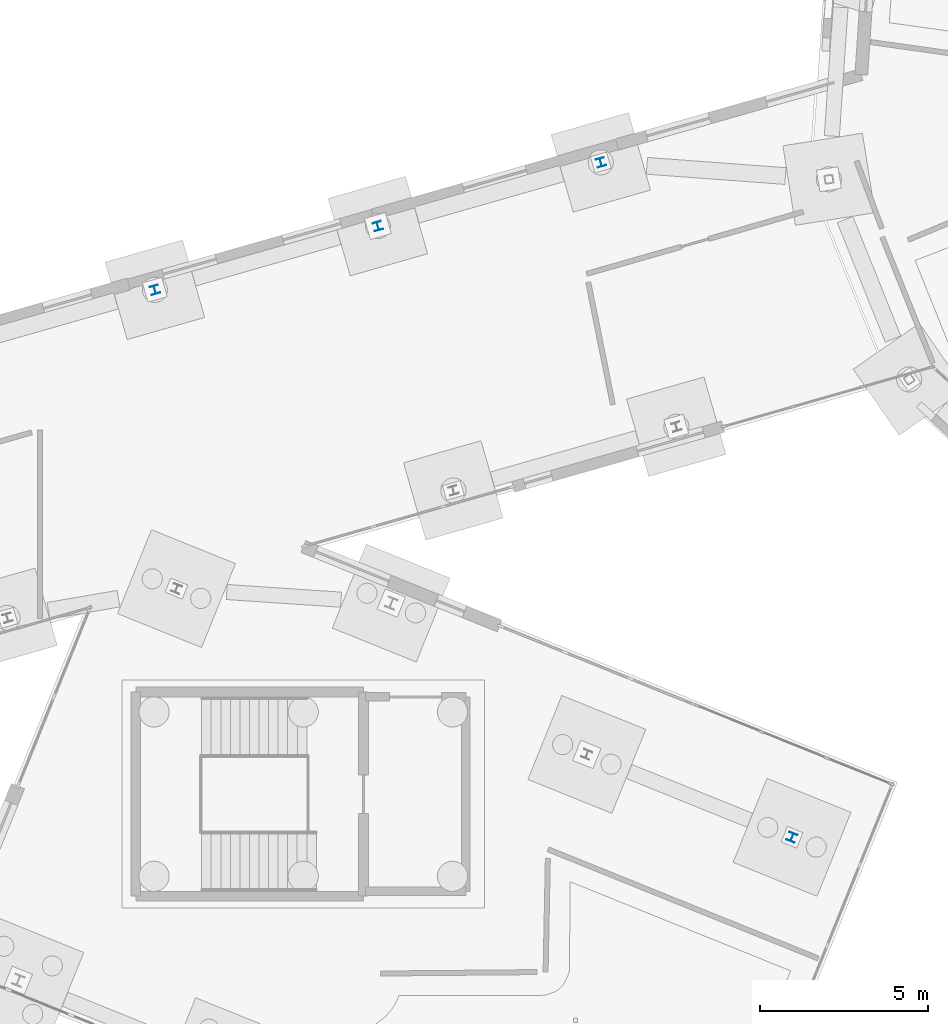
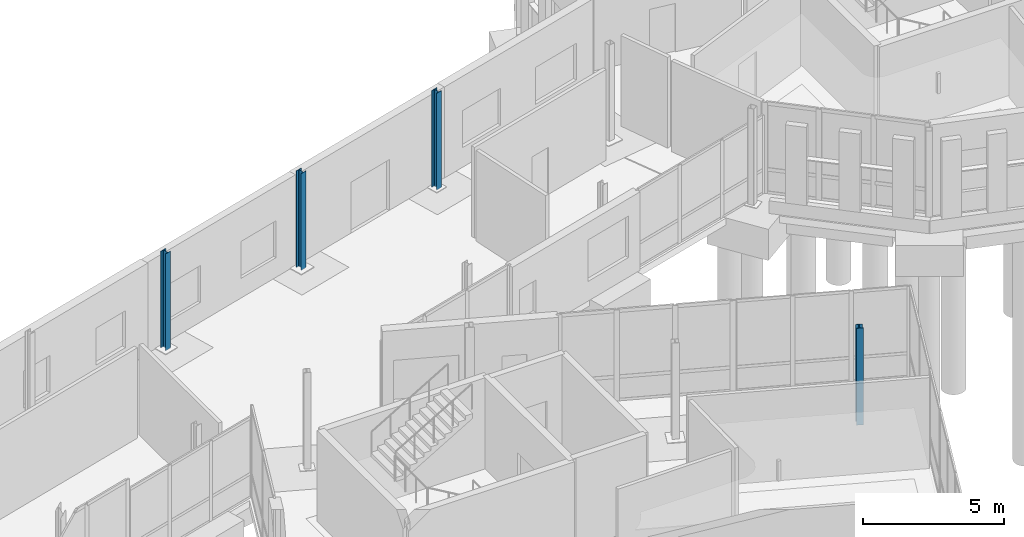
# One storey, part 17 of 113: 4 columns.
"""IFC4 building model written with IfcOpenShell, lengths in metres."""

from ifc_helpers import new_model, si_unit, direction, frame, origin, origin_2d, place, context, subcontext, project, spatial, i_section, extrude, material, material_profile, profile_set, type_object, element, save


model = new_model("IFC4")

# Units and contexts
model_context = context("Model", 3, precision=1e-05, world=origin(), true_north=direction((0.0, 1.0)))
body_context = subcontext(model_context, "Body", "Model", "MODEL_VIEW")
ifc_project = project(units=[si_unit("LENGTHUNIT", "METRE"), si_unit("AREAUNIT", "SQUARE_METRE"), si_unit("VOLUMEUNIT", "CUBIC_METRE"), si_unit("PLANEANGLEUNIT", "RADIAN"), si_unit("MASSUNIT", "GRAM", prefix="KILO")], contexts=[model_context])

# Site, building, storey
site_placement = place(None, origin())
site = spatial("IfcSite", under=ifc_project, at=site_placement, CompositionType="ELEMENT")
building_placement = place(site_placement, origin())
building = spatial("IfcBuilding", under=site, at=building_placement, Name="Wrenclough Park School", CompositionType="ELEMENT")
storey_placement = place(building_placement, origin())
storey = spatial("IfcBuildingStorey", under=building, at=storey_placement, Name="L00", CompositionType="ELEMENT", Elevation=0.0)

# Columns
ifc_material = material(Name="Structural steel S355", Category="steel")
ifc_material_profile = material_profile(ifc_material, i_section(OverallWidth=0.254638671875, OverallDepth=0.254150390625, WebThickness=0.008544921875, FlangeThickness=0.01416015625, FilletRadius=0.0126953125, at=origin_2d()), Name="UKC 254x254x73")
ifc_profile_set = profile_set([ifc_material_profile], Name="Structural steel S355")
column_type = type_object("IfcColumnType", Name="STR-COL-UKC254A", PredefinedType="COLUMN", material=ifc_profile_set)
for number, where, z_axis, x_axis, name in (
    (1, (67.627197265625, 86.61279296875, 0.0), (0.0, 0.0, 1.0), (0.927183854567, -0.374606593416, 0.0), "W34 L00 column EAVE-COURTYARD-B4"),
    (2, (48.62353515625, 102.942138671875, 0.0), (0.0, 0.0, 1.0), (0.961501868857, 0.27479839189, 0.0), "W34 L00 column W34-C1-L05"),
    (3, (55.273681640625, 104.84228515625, 0.0), (0.0, 0.0, 1.0), (0.961501868857, 0.27479839189, 0.0), "W34 L00 column W34-C1-L06"),
    (4, (61.923583984375, 106.7421875, 0.0), (0.0, 0.0, 1.0), (0.961501868857, 0.27479839189, 0.0), "W34 L00 column W34-C1-L07"),
):
    element("IfcColumn", number, at=place(storey_placement, frame(where, z_axis=z_axis, x_axis=x_axis)), inside=storey, type_object=column_type, Name=name, PredefinedType="COLUMN", context=body_context, shape_type="SweptSolid", body=[
        extrude(i_section(OverallWidth=0.254638671875, OverallDepth=0.254150390625, WebThickness=0.008544921875, FlangeThickness=0.01416015625, FilletRadius=0.0126953125, at=origin_2d()), origin(), (0.0, 0.0, 1.0), 4.199951171875),
    ])

save(model, "model.ifc")
